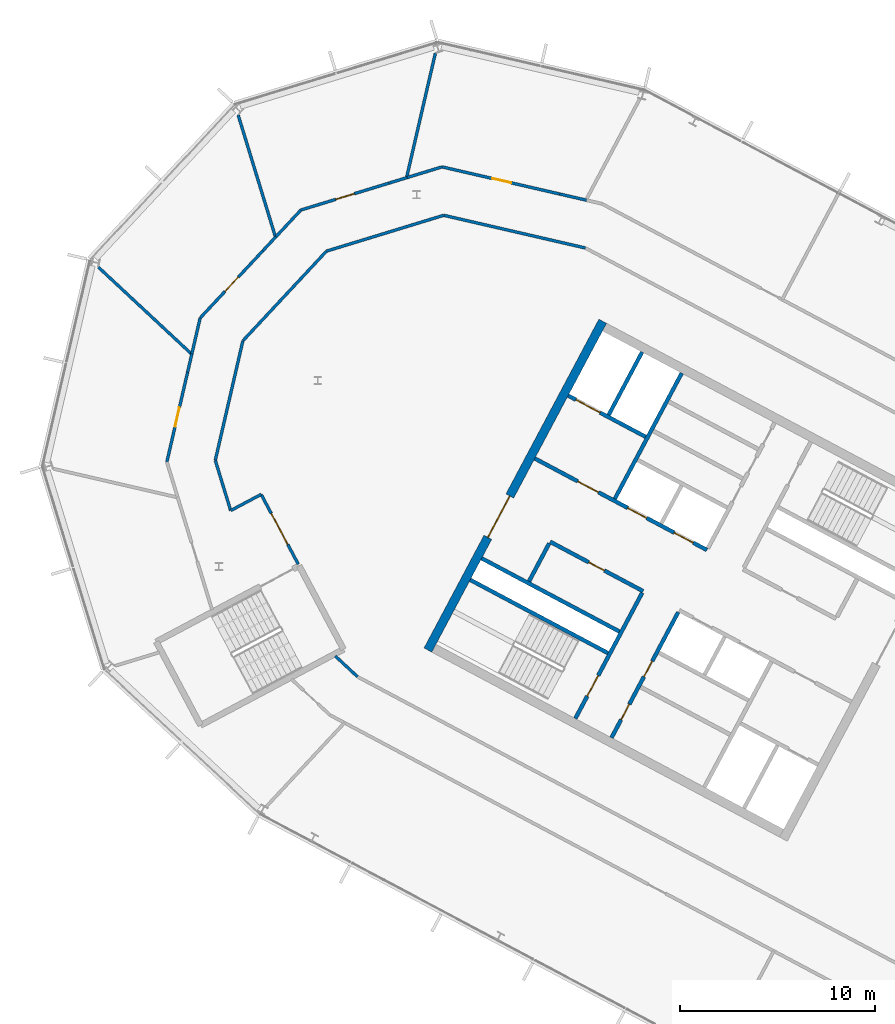
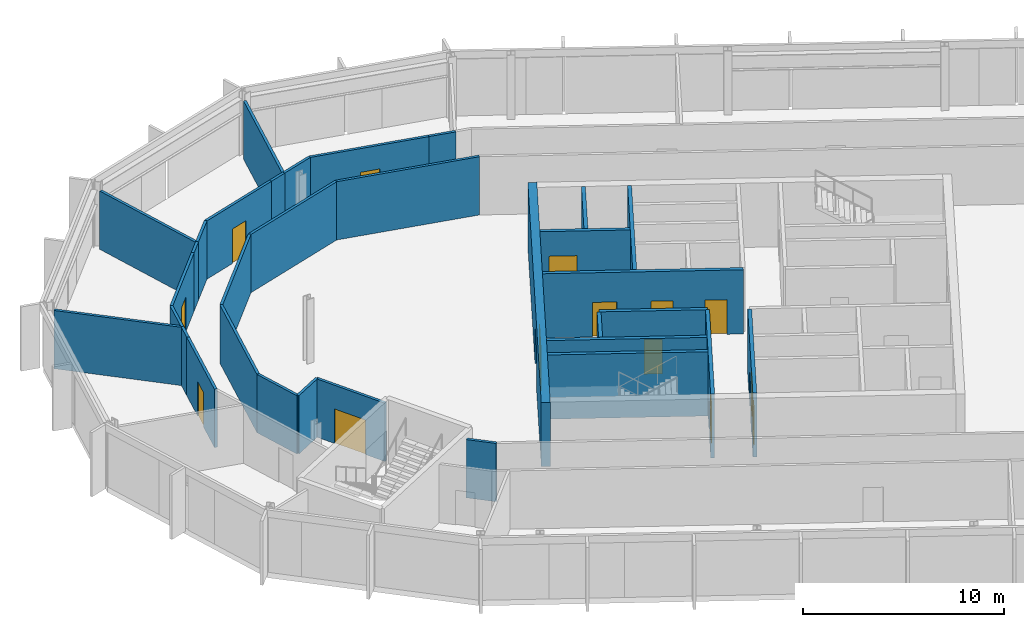
# One storey, part 14 of 26: 33 walls, 14 doors, 14 openings.
"""IFC4 building model written with IfcOpenShell, lengths in metres."""

from ifc_helpers import new_model, si_unit, direction, frame, frame_2d, origin, place, context, subcontext, project, spatial, rectangle, extrude, material, layer, layer_set, type_object, element, fill, save


model = new_model("IFC4")

# Units and contexts
model_context = context("Model", 3, precision=1e-05, world=origin(), true_north=direction((0.0, 1.0)))
body_context = subcontext(model_context, "Body", "Model", "MODEL_VIEW")
ifc_project = project(units=[si_unit("LENGTHUNIT", "METRE"), si_unit("AREAUNIT", "SQUARE_METRE"), si_unit("VOLUMEUNIT", "CUBIC_METRE"), si_unit("PLANEANGLEUNIT", "RADIAN"), si_unit("MASSUNIT", "GRAM", prefix="KILO")], contexts=[model_context])

# Site, building, storey
site_placement = place(None, origin())
site = spatial("IfcSite", under=ifc_project, at=site_placement, CompositionType="ELEMENT")
building_placement = place(site_placement, origin())
building = spatial("IfcBuilding", under=site, at=building_placement, Name="Cormorant Relay Tower", CompositionType="ELEMENT")
storey_placement = place(building_placement, frame((0.0, 0.0, 285.300048828125)))
storey = spatial("IfcBuildingStorey", under=building, at=storey_placement, Name="L64", CompositionType="ELEMENT", Elevation=285.300048828125)

# Wall, openings, doors
ifc_material_1 = material(Name="Concrete 50 MPa", Category="concrete")
ifc_layer_1 = layer(ifc_material_1, 0.199951171875)
ifc_layer_set_1 = layer_set([ifc_layer_1], Name="Core shaft wall 200")
wall_type_1 = type_object("IfcWallType", Name="Core shaft wall 200", PredefinedType="SHEAR", material=ifc_layer_set_1)
wall_1_placement = place(storey_placement, frame((-28.128173828125, 12.91748046875, 0.0), z_axis=(0.0, 0.0, 1.0), x_axis=(-0.469454336211, -0.882956752176, 0.0)))
wall_1 = element("IfcWall", 1, at=wall_1_placement, inside=storey, type_object=wall_type_1, Name="L64 core A shaft wall", PredefinedType="SHEAR", context=body_context, shape_type="SweptSolid", body=[
    extrude(rectangle(XDim=7.300048828125, YDim=0.199951171875, at=frame_2d((3.64990234375, 0.0))), origin(), (0.0, 0.0, 1.0), 3.89990234375),
])
opening_1_placement = place(wall_1_placement, frame((2.85009765625, 0.0, 0.0)))
opening_1 = element("IfcOpeningElement", 2, at=opening_1_placement, cuts=wall_1, Name="Opening CDD-289", PredefinedType="OPENING", context=body_context, shape_type="SweptSolid", body=[
    extrude(rectangle(XDim=0.89990234375, YDim=2.10009765625, at=frame_2d((0.449951171875, 1.050048828125))), frame((0.0, 0.10986328125, 0.0), z_axis=(0.0, -1.0, 0.0), x_axis=(1.0, 0.0, 0.0)), (0.0, 0.0, 1.0), 0.219970703125),
])
opening_2_placement = place(wall_1_placement, frame((5.35009765625, 0.0, 0.0)))
opening_2 = element("IfcOpeningElement", 3, at=opening_2_placement, cuts=wall_1, Name="Opening CDD-328", PredefinedType="OPENING", context=body_context, shape_type="SweptSolid", body=[
    extrude(rectangle(XDim=0.89990234375, YDim=2.10009765625, at=frame_2d((0.449951171875, 1.050048828125))), frame((0.0, 0.10986328125, 0.0), z_axis=(0.0, -1.0, 0.0), x_axis=(1.0, 0.0, 0.0)), (0.0, 0.0, 1.0), 0.219970703125),
])
ifc_material_2 = material(Name="Steel fire door", Category="steel")
door_type_1 = type_object("IfcDoorType", Name="Core room door 900x2100", OperationType="SINGLE_SWING_LEFT", PredefinedType="DOOR", material=ifc_material_2)
door_1_placement = place(opening_1_placement, origin())
door_1 = element("IfcDoor", 4, at=door_1_placement, inside=storey, type_object=door_type_1, Name="Core room door 900x2100", OperationType="SINGLE_SWING_LEFT", OverallHeight=2.10009765625, OverallWidth=0.89990234375, PredefinedType="DOOR", context=body_context, shape_type="SweptSolid", body=[
    extrude(rectangle(XDim=0.89990234375, YDim=2.10009765625, at=frame_2d((0.449951171875, 1.050048828125))), frame((0.0, 0.02490234375, 0.0), z_axis=(0.0, -1.0, 0.0), x_axis=(1.0, 0.0, 0.0)), (0.0, 0.0, 1.0), 0.050048828125),
])
fill(opening_1, door_1)
door_2_placement = place(opening_2_placement, origin())
door_2 = element("IfcDoor", 5, at=door_2_placement, inside=storey, type_object=door_type_1, Name="Core room door 900x2100", OperationType="SINGLE_SWING_LEFT", OverallHeight=2.10009765625, OverallWidth=0.89990234375, PredefinedType="DOOR", context=body_context, shape_type="SweptSolid", body=[
    extrude(rectangle(XDim=0.89990234375, YDim=2.10009765625, at=frame_2d((0.449951171875, 1.050048828125))), frame((0.0, 0.02490234375, 0.0), z_axis=(0.0, -1.0, 0.0), x_axis=(1.0, 0.0, 0.0)), (0.0, 0.0, 1.0), 0.050048828125),
])
fill(opening_2, door_2)

# Wall, opening, door
wall_2_placement = place(storey_placement, frame((-29.982421875, 13.9033203125, 0.0), z_axis=(0.0, 0.0, 1.0), x_axis=(-0.469454336211, -0.882956752176, 0.0)))
wall_2 = element("IfcWall", 6, at=wall_2_placement, inside=storey, type_object=wall_type_1, Name="L64 core A shaft wall", PredefinedType="SHEAR", context=body_context, shape_type="SweptSolid", body=[
    extrude(rectangle(XDim=7.300048828125, YDim=0.199951171875, at=frame_2d((3.64990234375, 0.0))), origin(), (0.0, 0.0, 1.0), 3.89990234375),
])
opening_3_placement = place(wall_2_placement, frame((4.800048828125, 0.0, 0.0)))
opening_3 = element("IfcOpeningElement", 7, at=opening_3_placement, cuts=wall_2, Name="Opening CDB-039", PredefinedType="OPENING", context=body_context, shape_type="SweptSolid", body=[
    extrude(rectangle(XDim=1.199951171875, YDim=2.10009765625, at=frame_2d((0.60009765625, 1.050048828125))), frame((0.0, 0.10986328125, 0.0), z_axis=(0.0, -1.0, 0.0), x_axis=(1.0, 0.0, 0.0)), (0.0, 0.0, 1.0), 0.219970703125),
])
ifc_material_3 = material(Name="Steel fire door", Category="steel")
door_type_2 = type_object("IfcDoorType", Name="Core stair door 1200x2100", OperationType="SINGLE_SWING_LEFT", PredefinedType="DOOR", material=ifc_material_3)
door_3_placement = place(opening_3_placement, frame((1.199951171875, 0.0, 0.0), z_axis=(0.0, 0.0, 1.0), x_axis=(-1.0, 0.0, 0.0)))
door_3 = element("IfcDoor", 8, at=door_3_placement, inside=storey, type_object=door_type_2, Name="Core stair door 1200x2100", OperationType="SINGLE_SWING_RIGHT", OverallHeight=2.10009765625, OverallWidth=1.199951171875, PredefinedType="DOOR", context=body_context, shape_type="SweptSolid", body=[
    extrude(rectangle(XDim=1.199951171875, YDim=2.10009765625, at=frame_2d((0.60009765625, 1.050048828125))), frame((0.0, 0.02490234375, 0.0), z_axis=(0.0, -1.0, 0.0), x_axis=(1.0, 0.0, 0.0)), (0.0, 0.0, 1.0), 0.050048828125),
])
fill(opening_3, door_3)

# Walls
wall_3_placement = place(storey_placement, frame((-27.955322265625, 25.170654296875, 0.0), z_axis=(0.0, 0.0, 1.0), x_axis=(-0.469480409012, -0.88294288918, 0.0)))
element("IfcWall", 9, at=wall_3_placement, inside=storey, type_object=wall_type_1, Name="L64 core A shaft wall", PredefinedType="SHEAR", context=body_context, shape_type="SweptSolid", body=[
    extrude(rectangle(XDim=7.300048828125, YDim=0.199951171875, at=frame_2d((3.64990234375, 0.0))), origin(), (0.0, 0.0, 1.0), 3.89990234375),
])
wall_4_placement = place(storey_placement, frame((-34.750244140625, 16.4384765625, 0.0), z_axis=(0.0, 0.0, 1.0), x_axis=(-0.469401318492, -0.882984938828, 0.0)))
element("IfcWall", 10, at=wall_4_placement, inside=storey, type_object=wall_type_1, Name="L64 core A shaft wall", PredefinedType="SHEAR", context=body_context, shape_type="SweptSolid", body=[
    extrude(rectangle(XDim=2.199951171875, YDim=0.199951171875, at=frame_2d((1.10009765625, 0.0))), origin(), (0.0, 0.0, 1.0), 3.89990234375),
])
wall_5_placement = place(storey_placement, frame((-29.986083984375, 26.250244140625, 0.0), z_axis=(0.0, 0.0, 1.0), x_axis=(-0.469494272526, -0.882935517501, 0.0)))
element("IfcWall", 11, at=wall_5_placement, inside=storey, type_object=wall_type_1, Name="L64 core A shaft wall", PredefinedType="SHEAR", context=body_context, shape_type="SweptSolid", body=[
    extrude(rectangle(XDim=3.64990234375, YDim=0.199951171875, at=frame_2d((1.824951171875, 0.0))), origin(), (0.0, 0.0, 1.0), 3.89990234375),
])

# Wall, opening, door
wall_6_placement = place(storey_placement, frame((-29.80419921875, 21.906494140625, 0.0), z_axis=(0.0, 0.0, 1.0), x_axis=(-0.882960433586, 0.469447412093, 0.0)))
wall_6 = element("IfcWall", 12, at=wall_6_placement, inside=storey, type_object=wall_type_1, Name="L64 core A shaft wall", PredefinedType="SHEAR", context=body_context, shape_type="SweptSolid", body=[
    extrude(rectangle(XDim=4.5, YDim=0.199951171875, at=frame_2d((2.25, 0.0))), origin(), (0.0, 0.0, 1.0), 3.89990234375),
])
opening_4_placement = place(wall_6_placement, frame((2.64990234375, 0.0, 0.0)))
opening_4 = element("IfcOpeningElement", 13, at=opening_4_placement, cuts=wall_6, Name="Opening LD3-015", PredefinedType="OPENING", context=body_context, shape_type="SweptSolid", body=[
    extrude(rectangle(XDim=1.39990234375, YDim=2.39990234375, at=frame_2d((0.699951171875, 1.199951171875))), frame((0.0, 0.10986328125, 0.0), z_axis=(0.0, -1.0, 0.0), x_axis=(1.0, 0.0, 0.0)), (0.0, 0.0, 1.0), 0.219970703125),
])
ifc_material_4 = material(Name="Stainless steel 316", Category="steel")
door_type_3 = type_object("IfcDoorType", Name="Lift landing door 1400x2400", OperationType="DOUBLE_DOOR_SLIDING", PredefinedType="DOOR", material=ifc_material_4)
door_4_placement = place(opening_4_placement, origin())
door_4 = element("IfcDoor", 14, at=door_4_placement, inside=storey, type_object=door_type_3, Name="SV1 landing door", OperationType="DOUBLE_DOOR_SLIDING", OverallHeight=2.39990234375, OverallWidth=1.39990234375, PredefinedType="DOOR", context=body_context, shape_type="SweptSolid", body=[
    extrude(rectangle(XDim=1.39990234375, YDim=2.39990234375, at=frame_2d((0.699951171875, 1.199951171875))), frame((0.0, 0.02490234375, 0.0), z_axis=(0.0, -1.0, 0.0), x_axis=(1.0, 0.0, 0.0)), (0.0, 0.0, 1.0), 0.050048828125),
])
fill(opening_4, door_4)

# Wall, openings, doors
wall_7_placement = place(storey_placement, frame((-26.66162109375, 16.1015625, 0.0), z_axis=(0.0, 0.0, 1.0), x_axis=(-0.882940221191, 0.469485426614, 0.0)))
wall_7 = element("IfcWall", 15, at=wall_7_placement, inside=storey, type_object=wall_type_1, Name="L64 core A shaft wall", PredefinedType="SHEAR", context=body_context, shape_type="SweptSolid", body=[
    extrude(rectangle(XDim=10.0, YDim=0.199951171875, at=frame_2d((5.0, 0.0))), origin(), (0.0, 0.0, 1.0), 3.89990234375),
])
opening_5_placement = place(wall_7_placement, frame((6.300048828125, 0.0, 0.0)))
opening_5 = element("IfcOpeningElement", 16, at=opening_5_placement, cuts=wall_7, Name="Opening CDC-034", PredefinedType="OPENING", context=body_context, shape_type="SweptSolid", body=[
    extrude(rectangle(XDim=1.199951171875, YDim=2.10009765625, at=frame_2d((0.60009765625, 1.050048828125))), frame((0.0, 0.10986328125, 0.0), z_axis=(0.0, -1.0, 0.0), x_axis=(1.0, 0.0, 0.0)), (0.0, 0.0, 1.0), 0.219970703125),
])
opening_6_placement = place(wall_7_placement, frame((0.800048828125, 0.0, 0.0)))
opening_6 = element("IfcOpeningElement", 17, at=opening_6_placement, cuts=wall_7, Name="Opening LD1-067", PredefinedType="OPENING", context=body_context, shape_type="SweptSolid", body=[
    extrude(rectangle(XDim=1.10009765625, YDim=2.10009765625, at=frame_2d((0.550048828125, 1.050048828125))), frame((0.0, 0.10986328125, 0.0), z_axis=(0.0, -1.0, 0.0), x_axis=(1.0, 0.0, 0.0)), (0.0, 0.0, 1.0), 0.219970703125),
])
opening_7_placement = place(wall_7_placement, frame((3.5, 0.0, 0.0)))
opening_7 = element("IfcOpeningElement", 18, at=opening_7_placement, cuts=wall_7, Name="Opening LD1-068", PredefinedType="OPENING", context=body_context, shape_type="SweptSolid", body=[
    extrude(rectangle(XDim=1.10009765625, YDim=2.10009765625, at=frame_2d((0.550048828125, 1.050048828125))), frame((0.0, 0.10986328125, 0.0), z_axis=(0.0, -1.0, 0.0), x_axis=(1.0, 0.0, 0.0)), (0.0, 0.0, 1.0), 0.219970703125),
])
ifc_material_5 = material(Name="Steel fire door", Category="steel")
door_type_4 = type_object("IfcDoorType", Name="Core lobby door 1200x2100", OperationType="SINGLE_SWING_LEFT", PredefinedType="DOOR", material=ifc_material_5)
door_5_placement = place(opening_5_placement, origin())
door_5 = element("IfcDoor", 19, at=door_5_placement, inside=storey, type_object=door_type_4, Name="Core lobby door 1200x2100", OperationType="SINGLE_SWING_LEFT", OverallHeight=2.10009765625, OverallWidth=1.199951171875, PredefinedType="DOOR", context=body_context, shape_type="SweptSolid", body=[
    extrude(rectangle(XDim=1.199951171875, YDim=2.10009765625, at=frame_2d((0.60009765625, 1.050048828125))), frame((0.0, 0.02490234375, 0.0), z_axis=(0.0, -1.0, 0.0), x_axis=(1.0, 0.0, 0.0)), (0.0, 0.0, 1.0), 0.050048828125),
])
fill(opening_5, door_5)
ifc_material_6 = material(Name="Stainless steel 316", Category="steel")
door_type_5 = type_object("IfcDoorType", Name="Lift landing door 1100x2100", OperationType="DOUBLE_DOOR_SLIDING", PredefinedType="DOOR", material=ifc_material_6)
door_6_placement = place(opening_6_placement, origin())
door_6 = element("IfcDoor", 20, at=door_6_placement, inside=storey, type_object=door_type_5, Name="HR3 landing door", OperationType="DOUBLE_DOOR_SLIDING", OverallHeight=2.10009765625, OverallWidth=1.10009765625, PredefinedType="DOOR", context=body_context, shape_type="SweptSolid", body=[
    extrude(rectangle(XDim=1.10009765625, YDim=2.10009765625, at=frame_2d((0.550048828125, 1.050048828125))), frame((0.0, 0.02490234375, 0.0), z_axis=(0.0, -1.0, 0.0), x_axis=(1.0, 0.0, 0.0)), (0.0, 0.0, 1.0), 0.050048828125),
])
fill(opening_6, door_6)
door_7_placement = place(opening_7_placement, origin())
door_7 = element("IfcDoor", 21, at=door_7_placement, inside=storey, type_object=door_type_5, Name="HR4 landing door", OperationType="DOUBLE_DOOR_SLIDING", OverallHeight=2.10009765625, OverallWidth=1.10009765625, PredefinedType="DOOR", context=body_context, shape_type="SweptSolid", body=[
    extrude(rectangle(XDim=1.10009765625, YDim=2.10009765625, at=frame_2d((0.550048828125, 1.050048828125))), frame((0.0, 0.02490234375, 0.0), z_axis=(0.0, -1.0, 0.0), x_axis=(1.0, 0.0, 0.0)), (0.0, 0.0, 1.0), 0.050048828125),
])
fill(opening_7, door_7)

# Wall, opening, door
wall_8_placement = place(storey_placement, frame((-29.935302734375, 13.991455078125, 0.0), z_axis=(0.0, 0.0, 1.0), x_axis=(-0.882952937579, 0.469461510692, 0.0)))
wall_8 = element("IfcWall", 22, at=wall_8_placement, inside=storey, type_object=wall_type_1, Name="L64 core A shaft wall", PredefinedType="SHEAR", context=body_context, shape_type="SweptSolid", body=[
    extrude(rectangle(XDim=5.400146484375, YDim=0.199951171875, at=frame_2d((2.7001953125, 0.0))), origin(), (0.0, 0.0, 1.0), 3.89990234375),
])
opening_8_placement = place(wall_8_placement, frame((2.25, 0.0, 0.0)))
opening_8 = element("IfcOpeningElement", 23, at=opening_8_placement, cuts=wall_8, Name="Opening CDD-318", PredefinedType="OPENING", context=body_context, shape_type="SweptSolid", body=[
    extrude(rectangle(XDim=0.89990234375, YDim=2.10009765625, at=frame_2d((0.449951171875, 1.050048828125))), frame((0.0, 0.10986328125, 0.0), z_axis=(0.0, -1.0, 0.0), x_axis=(1.0, 0.0, 0.0)), (0.0, 0.0, 1.0), 0.219970703125),
])
door_8_placement = place(opening_8_placement, origin())
door_8 = element("IfcDoor", 24, at=door_8_placement, inside=storey, type_object=door_type_1, Name="Core room door 900x2100", OperationType="SINGLE_SWING_LEFT", OverallHeight=2.10009765625, OverallWidth=0.89990234375, PredefinedType="DOOR", context=body_context, shape_type="SweptSolid", body=[
    extrude(rectangle(XDim=0.89990234375, YDim=2.10009765625, at=frame_2d((0.449951171875, 1.050048828125))), frame((0.0, 0.02490234375, 0.0), z_axis=(0.0, -1.0, 0.0), x_axis=(1.0, 0.0, 0.0)), (0.0, 0.0, 1.0), 0.050048828125),
])
fill(opening_8, door_8)

# Walls
for number, where, z_axis, x_axis, name in (
    (25, (-31.150390625, 11.91943359375, 0.0), (0.0, 0.0, 1.0), (-0.882940221191, 0.469485426614, 0.0), "L64 core A shaft wall"),
    (26, (-31.7373046875, 10.815673828125, 0.0), (0.0, 0.0, 1.0), (-0.882940221191, 0.469485426614, 0.0), "L64 core A shaft wall"),
):
    element("IfcWall", number, at=place(storey_placement, frame(where, z_axis=z_axis, x_axis=x_axis)), inside=storey, type_object=wall_type_1, Name=name, PredefinedType="SHEAR", context=body_context, shape_type="SweptSolid", body=[
        extrude(rectangle(XDim=8.0, YDim=0.199951171875, at=frame_2d((4.0, 0.0))), origin(), (0.0, 0.0, 1.0), 3.89990234375),
    ])

# Wall, opening, door
ifc_material_7 = material(Name="Concrete 50 MPa", Category="concrete")
ifc_layer_2 = layer(ifc_material_7, 0.449951171875)
ifc_layer_set_2 = layer_set([ifc_layer_2], Name="Core wall 450")
wall_type_2 = type_object("IfcWallType", Name="Core wall 450", PredefinedType="SHEAR", material=ifc_layer_set_2)
wall_9_placement = place(storey_placement, frame((-32.00439453125, 27.8330078125, 0.0), z_axis=(0.0, 0.0, 1.0), x_axis=(-0.469467968382, -0.882949504028, 0.0)))
wall_9 = element("IfcWall", 27, at=wall_9_placement, inside=storey, type_object=wall_type_2, Name="L64 core A wall", PredefinedType="SHEAR", context=body_context, shape_type="SweptSolid", body=[
    extrude(rectangle(XDim=19.099853515625, YDim=0.449951171875, at=frame_2d((9.5498046875, 0.0))), origin(), (0.0, 0.0, 1.0), 3.89990234375),
])
opening_9_placement = place(wall_9_placement, frame((10.14990234375, 0.0, 0.0)))
opening_9 = element("IfcOpeningElement", 28, at=opening_9_placement, cuts=wall_9, Name="Opening CDA-051", PredefinedType="OPENING", context=body_context, shape_type="SweptSolid", body=[
    extrude(rectangle(XDim=2.39990234375, YDim=2.39990234375, at=frame_2d((1.199951171875, 1.199951171875))), frame((0.0, 0.23486328125, 0.0), z_axis=(0.0, -1.0, 0.0), x_axis=(1.0, 0.0, 0.0)), (0.0, 0.0, 1.0), 0.469970703125),
])
ifc_material_8 = material(Name="Steel fire door", Category="steel")
door_type_6 = type_object("IfcDoorType", Name="Core lobby door 2400x2400", OperationType="DOUBLE_DOOR_SINGLE_SWING", PredefinedType="DOOR", material=ifc_material_8)
door_9_placement = place(opening_9_placement, origin())
door_9 = element("IfcDoor", 29, at=door_9_placement, inside=storey, type_object=door_type_6, Name="Core lobby door 2400x2400", OperationType="DOUBLE_DOOR_SINGLE_SWING", OverallHeight=2.39990234375, OverallWidth=2.39990234375, PredefinedType="DOOR", context=body_context, shape_type="SweptSolid", body=[
    extrude(rectangle(XDim=2.39990234375, YDim=2.39990234375, at=frame_2d((1.199951171875, 1.199951171875))), frame((0.0, 0.02490234375, 0.0), z_axis=(0.0, -1.0, 0.0), x_axis=(1.0, 0.0, 0.0)), (0.0, 0.0, 1.0), 0.050048828125),
])
fill(opening_9, door_9)

ifc_material_9 = material(Name="Gypsum board fire partition")
ifc_layer_3 = layer(ifc_material_9, 0.14990234375)
ifc_layer_set_3 = layer_set([ifc_layer_3], Name="Corridor partition 150 EI 60")
wall_type_3 = type_object("IfcWallType", Name="Corridor partition 150 EI 60", PredefinedType="PARTITIONING", material=ifc_layer_set_3)
wall_10_placement = place(storey_placement, frame((-53.294921875, 25.215087890625, 0.0), z_axis=(0.0, 0.0, 1.0), x_axis=(-0.224995495587, -0.974359803648, 0.0)))
wall_10 = element("IfcWall", 30, at=wall_10_placement, inside=storey, type_object=wall_type_3, Name="wall/L64/part/004", PredefinedType="PARTITIONING", context=body_context, shape_type="SweptSolid", body=[
    extrude(rectangle(XDim=4.72021484375, YDim=0.14990234375, at=frame_2d((2.360107421875, 0.0))), origin(), (0.0, 0.0, 1.0), 3.5400390625),
])
opening_10_placement = place(wall_10_placement, frame((1.85009765625, 0.0, 0.0)))
opening_10 = element("IfcOpeningElement", 31, at=opening_10_placement, cuts=wall_10, Name="Opening DS-226", PredefinedType="OPENING", context=body_context, shape_type="SweptSolid", body=[
    extrude(rectangle(XDim=1.0, YDim=2.10009765625, at=frame_2d((0.5, 1.050048828125))), frame((0.0, 0.0849609375, 0.0), z_axis=(0.0, -1.0, 0.0), x_axis=(1.0, 0.0, 0.0)), (0.0, 0.0, 1.0), 0.169921875),
])
ifc_material_10 = material(Name="Timber door leaf", Category="wood")
door_type_7 = type_object("IfcDoorType", Name="Suite door 1000x2100", OperationType="SINGLE_SWING_LEFT", PredefinedType="DOOR", material=ifc_material_10)
door_10_placement = place(opening_10_placement, frame((1.0, 0.0, 0.0), z_axis=(0.0, 0.0, 1.0), x_axis=(-1.0, 0.0, 0.0)))
door_10 = element("IfcDoor", 32, at=door_10_placement, inside=storey, type_object=door_type_7, Name="door/L64/011", OperationType="SINGLE_SWING_RIGHT", OverallHeight=2.10009765625, OverallWidth=1.0, PredefinedType="DOOR", context=body_context, shape_type="SweptSolid", body=[
    extrude(rectangle(XDim=1.0, YDim=2.10009765625, at=frame_2d((0.5, 1.050048828125))), frame((0.0, 0.02490234375, 0.0), z_axis=(0.0, -1.0, 0.0), x_axis=(1.0, 0.0, 0.0)), (0.0, 0.0, 1.0), 0.050048828125),
])
fill(opening_10, door_10)

# Wall
wall_11_placement = place(storey_placement, frame((-53.294921875, 25.215087890625, 0.0), z_axis=(0.0, 0.0, 1.0), x_axis=(0.225370986266, 0.974273020539, 0.0)))
element("IfcWall", 33, at=wall_11_placement, inside=storey, type_object=wall_type_3, Name="wall/L64/part/007", PredefinedType="PARTITIONING", context=body_context, shape_type="SweptSolid", body=[
    extrude(rectangle(XDim=0.97607421875, YDim=0.14990234375, at=frame_2d((0.488037109375, 0.0))), origin(), (0.0, 0.0, 1.0), 3.5400390625),
])

# Wall, opening, door
wall_12_placement = place(storey_placement, frame((-49.43310546875, 31.448974609375, 0.0), z_axis=(0.0, 0.0, 1.0), x_axis=(-0.682010505986, -0.731342375173, 0.0)))
wall_12 = element("IfcWall", 34, at=wall_12_placement, inside=storey, type_object=wall_type_3, Name="wall/L64/part/008", PredefinedType="PARTITIONING", context=body_context, shape_type="SweptSolid", body=[
    extrude(rectangle(XDim=4.72119140625, YDim=0.14990234375, at=frame_2d((2.360595703125, 0.0))), origin(), (0.0, 0.0, 1.0), 3.5400390625),
])
opening_11_placement = place(wall_12_placement, frame((1.85009765625, 0.0, 0.0)))
opening_11 = element("IfcOpeningElement", 35, at=opening_11_placement, cuts=wall_12, Name="Opening DS-225", PredefinedType="OPENING", context=body_context, shape_type="SweptSolid", body=[
    extrude(rectangle(XDim=1.0, YDim=2.10009765625, at=frame_2d((0.5, 1.050048828125))), frame((0.0, 0.0849609375, 0.0), z_axis=(0.0, -1.0, 0.0), x_axis=(1.0, 0.0, 0.0)), (0.0, 0.0, 1.0), 0.169921875),
])
door_11_placement = place(opening_11_placement, frame((1.0, 0.0, 0.0), z_axis=(0.0, 0.0, 1.0), x_axis=(-1.0, 0.0, 0.0)))
door_11 = element("IfcDoor", 36, at=door_11_placement, inside=storey, type_object=door_type_7, Name="door/L64/010", OperationType="SINGLE_SWING_RIGHT", OverallHeight=2.10009765625, OverallWidth=1.0, PredefinedType="DOOR", context=body_context, shape_type="SweptSolid", body=[
    extrude(rectangle(XDim=1.0, YDim=2.10009765625, at=frame_2d((0.5, 1.050048828125))), frame((0.0, 0.02490234375, 0.0), z_axis=(0.0, -1.0, 0.0), x_axis=(1.0, 0.0, 0.0)), (0.0, 0.0, 1.0), 0.050048828125),
])
fill(opening_11, door_11)

# Walls
wall_13_placement = place(storey_placement, frame((-52.653076171875, 27.99609375, 0.0), z_axis=(0.0, 0.0, 1.0), x_axis=(-0.224631643858, -0.974443751367, 0.0)))
element("IfcWall", 37, at=wall_13_placement, inside=storey, type_object=wall_type_3, Name="wall/L64/part/009", PredefinedType="PARTITIONING", context=body_context, shape_type="SweptSolid", body=[
    extrude(rectangle(XDim=1.878173828125, YDim=0.14990234375, at=frame_2d((0.93896484375, 0.0))), origin(), (0.0, 0.0, 1.0), 3.5400390625),
])
wall_14_placement = place(storey_placement, frame((-49.43310546875, 31.448974609375, 0.0), z_axis=(0.0, 0.0, 1.0), x_axis=(0.682014889945, 0.731338286905, 0.0)))
element("IfcWall", 38, at=wall_14_placement, inside=storey, type_object=wall_type_3, Name="wall/L64/part/011", PredefinedType="PARTITIONING", context=body_context, shape_type="SweptSolid", body=[
    extrude(rectangle(XDim=0.97509765625, YDim=0.14990234375, at=frame_2d((0.487548828125, 0.0))), origin(), (0.0, 0.0, 1.0), 3.5400390625),
])

# Wall, opening, door
wall_15_placement = place(storey_placement, frame((-42.971923828125, 34.916015625, 0.0), z_axis=(0.0, 0.0, 1.0), x_axis=(-0.956321861231, -0.292315750056, 0.0)))
wall_15 = element("IfcWall", 39, at=wall_15_placement, inside=storey, type_object=wall_type_3, Name="wall/L64/part/014", PredefinedType="PARTITIONING", context=body_context, shape_type="SweptSolid", body=[
    extrude(rectangle(XDim=4.721435546875, YDim=0.14990234375, at=frame_2d((2.36083984375, 0.0))), origin(), (0.0, 0.0, 1.0), 3.5400390625),
])
opening_12_placement = place(wall_15_placement, frame((1.85009765625, 0.0, 0.0)))
opening_12 = element("IfcOpeningElement", 40, at=opening_12_placement, cuts=wall_15, Name="Opening DS-224", PredefinedType="OPENING", context=body_context, shape_type="SweptSolid", body=[
    extrude(rectangle(XDim=1.0, YDim=2.10009765625, at=frame_2d((0.5, 1.050048828125))), frame((0.0, 0.0849609375, 0.0), z_axis=(0.0, -1.0, 0.0), x_axis=(1.0, 0.0, 0.0)), (0.0, 0.0, 1.0), 0.169921875),
])
door_12_placement = place(opening_12_placement, frame((1.0, 0.0, 0.0), z_axis=(0.0, 0.0, 1.0), x_axis=(-1.0, 0.0, 0.0)))
door_12 = element("IfcDoor", 41, at=door_12_placement, inside=storey, type_object=door_type_7, Name="door/L64/009", OperationType="SINGLE_SWING_RIGHT", OverallHeight=2.10009765625, OverallWidth=1.0, PredefinedType="DOOR", context=body_context, shape_type="SweptSolid", body=[
    extrude(rectangle(XDim=1.0, YDim=2.10009765625, at=frame_2d((0.5, 1.050048828125))), frame((0.0, 0.02490234375, 0.0), z_axis=(0.0, -1.0, 0.0), x_axis=(1.0, 0.0, 0.0)), (0.0, 0.0, 1.0), 0.050048828125),
])
fill(opening_12, door_12)

# Wall
wall_16_placement = place(storey_placement, frame((-47.487060546875, 33.535888671875, 0.0), z_axis=(0.0, 0.0, 1.0), x_axis=(-0.681980118274, -0.731370711936, 0.0)))
element("IfcWall", 42, at=wall_16_placement, inside=storey, type_object=wall_type_3, Name="wall/L64/part/015", PredefinedType="PARTITIONING", context=body_context, shape_type="SweptSolid", body=[
    extrude(rectangle(XDim=1.87841796875, YDim=0.14990234375, at=frame_2d((0.939208984375, 0.0))), origin(), (0.0, 0.0, 1.0), 3.5400390625),
])

# Wall, opening, door
wall_17_placement = place(storey_placement, frame((-47.62109375, 15.3779296875, 0.0), z_axis=(0.0, 0.0, 1.0), x_axis=(-0.469542997944, 0.882909606404, 0.0)))
wall_17 = element("IfcWall", 43, at=wall_17_placement, inside=storey, type_object=wall_type_3, Name="wall/L64/part/016", PredefinedType="PARTITIONING", context=body_context, shape_type="SweptSolid", body=[
    extrude(rectangle(XDim=4.050537109375, YDim=0.14990234375, at=frame_2d((2.025390625, 0.0))), origin(), (0.0, 0.0, 1.0), 3.5400390625),
])
opening_13_placement = place(wall_17_placement, frame((1.14990234375, 0.0, 0.0)))
opening_13 = element("IfcOpeningElement", 44, at=opening_13_placement, cuts=wall_17, Name="Opening DD-035", PredefinedType="OPENING", context=body_context, shape_type="SweptSolid", body=[
    extrude(rectangle(XDim=1.800048828125, YDim=2.10009765625, at=frame_2d((0.89990234375, 1.050048828125))), frame((0.0, 0.0849609375, 0.0), z_axis=(0.0, -1.0, 0.0), x_axis=(1.0, 0.0, 0.0)), (0.0, 0.0, 1.0), 0.169921875),
])
ifc_material_11 = material(Name="Timber door leaf", Category="wood")
door_type_8 = type_object("IfcDoorType", Name="Suite double door 1800x2100", OperationType="DOUBLE_DOOR_SINGLE_SWING", PredefinedType="DOOR", material=ifc_material_11)
door_13_placement = place(opening_13_placement, frame((1.800048828125, 0.0, 0.0), z_axis=(0.0, 0.0, 1.0), x_axis=(-1.0, 0.0, 0.0)))
door_13 = element("IfcDoor", 45, at=door_13_placement, inside=storey, type_object=door_type_8, Name="door/L64/001", OperationType="DOUBLE_DOOR_SINGLE_SWING", OverallHeight=2.10009765625, OverallWidth=1.800048828125, PredefinedType="DOOR", context=body_context, shape_type="SweptSolid", body=[
    extrude(rectangle(XDim=1.800048828125, YDim=2.10009765625, at=frame_2d((0.89990234375, 1.050048828125))), frame((0.0, 0.02490234375, 0.0), z_axis=(0.0, -1.0, 0.0), x_axis=(1.0, 0.0, 0.0)), (0.0, 0.0, 1.0), 0.050048828125),
])
fill(opening_13, door_13)

# Walls
wall_18_placement = place(storey_placement, frame((-49.52294921875, 18.9541015625, 0.0), z_axis=(0.0, 0.0, 1.0), x_axis=(-0.882826130341, -0.469699929303, 0.0)))
element("IfcWall", 46, at=wall_18_placement, inside=storey, type_object=wall_type_3, Name="wall/L64/part/017", PredefinedType="PARTITIONING", context=body_context, shape_type="SweptSolid", body=[
    extrude(rectangle(XDim=1.769287109375, YDim=0.14990234375, at=frame_2d((0.884765625, 0.0))), origin(), (0.0, 0.0, 1.0), 3.5400390625),
])
wall_19_placement = place(storey_placement, frame((-51.0849609375, 18.123046875, 0.0), z_axis=(0.0, 0.0, 1.0), x_axis=(-0.292584201044, 0.9562397635, 0.0)))
element("IfcWall", 47, at=wall_19_placement, inside=storey, type_object=wall_type_3, Name="wall/L64/part/018", PredefinedType="PARTITIONING", context=body_context, shape_type="SweptSolid", body=[
    extrude(rectangle(XDim=2.69677734375, YDim=0.14990234375, at=frame_2d((1.348388671875, 0.0))), origin(), (0.0, 0.0, 1.0), 3.5400390625),
])
wall_20_placement = place(storey_placement, frame((-51.8740234375, 20.701904296875, 0.0), z_axis=(0.0, 0.0, 1.0), x_axis=(0.224987079621, 0.974361746993, 0.0)))
element("IfcWall", 48, at=wall_20_placement, inside=storey, type_object=wall_type_3, Name="wall/L64/part/019", PredefinedType="PARTITIONING", context=body_context, shape_type="SweptSolid", body=[
    extrude(rectangle(XDim=6.289306640625, YDim=0.14990234375, at=frame_2d((3.14453125, 0.0))), origin(), (0.0, 0.0, 1.0), 3.5400390625),
])
wall_21_placement = place(storey_placement, frame((-50.458984375, 26.830078125, 0.0), z_axis=(0.0, 0.0, 1.0), x_axis=(0.68204431976, 0.731310840808, 0.0)))
element("IfcWall", 49, at=wall_21_placement, inside=storey, type_object=wall_type_3, Name="wall/L64/part/020", PredefinedType="PARTITIONING", context=body_context, shape_type="SweptSolid", body=[
    extrude(rectangle(XDim=6.28857421875, YDim=0.14990234375, at=frame_2d((3.144287109375, 0.0))), origin(), (0.0, 0.0, 1.0), 3.5400390625),
])
wall_22_placement = place(storey_placement, frame((-46.169921875, 31.428955078125, 0.0), z_axis=(0.0, 0.0, 1.0), x_axis=(0.956313885215, 0.292341842616, 0.0)))
element("IfcWall", 50, at=wall_22_placement, inside=storey, type_object=wall_type_3, Name="wall/L64/part/021", PredefinedType="PARTITIONING", context=body_context, shape_type="SweptSolid", body=[
    extrude(rectangle(XDim=6.28759765625, YDim=0.14990234375, at=frame_2d((3.143798828125, 0.0))), origin(), (0.0, 0.0, 1.0), 3.5400390625),
])
wall_23_placement = place(storey_placement, frame((-40.156982421875, 33.26708984375, 0.0), z_axis=(0.0, 0.0, 1.0), x_axis=(0.974363587665, -0.224979107993, 0.0)))
element("IfcWall", 51, at=wall_23_placement, inside=storey, type_object=wall_type_3, Name="wall/L64/part/022", PredefinedType="PARTITIONING", context=body_context, shape_type="SweptSolid", body=[
    extrude(rectangle(XDim=7.4541015625, YDim=0.14990234375, at=frame_2d((3.72705078125, 0.0))), origin(), (0.0, 0.0, 1.0), 3.5400390625),
])
wall_24_placement = place(storey_placement, frame((-44.583984375, 9.60498046875, 0.0), z_axis=(0.0, 0.0, 1.0), x_axis=(-0.731410317478, 0.681937641934, 0.0)))
element("IfcWall", 52, at=wall_24_placement, inside=storey, type_object=wall_type_3, Name="wall/L64/part/031", PredefinedType="PARTITIONING", context=body_context, shape_type="SweptSolid", body=[
    extrude(rectangle(XDim=1.554443359375, YDim=0.14990234375, at=frame_2d((0.77734375, 0.0))), origin(), (0.0, 0.0, 1.0), 3.5400390625),
])
wall_25_placement = place(storey_placement, frame((-42.971923828125, 34.916015625, 0.0), z_axis=(0.0, 0.0, 1.0), x_axis=(0.956388481043, 0.292097711954, 0.0)))
element("IfcWall", 53, at=wall_25_placement, inside=storey, type_object=wall_type_3, Name="wall/L64/part/036", PredefinedType="PARTITIONING", context=body_context, shape_type="SweptSolid", body=[
    extrude(rectangle(XDim=0.975341796875, YDim=0.14990234375, at=frame_2d((0.48779296875, 0.0))), origin(), (0.0, 0.0, 1.0), 3.5400390625),
])

# Wall, opening, door
wall_26_placement = place(storey_placement, frame((-34.2080078125, 34.35693359375, 0.0), z_axis=(0.0, 0.0, 1.0), x_axis=(-0.974377242452, 0.224919962192, 0.0)))
wall_26 = element("IfcWall", 54, at=wall_26_placement, inside=storey, type_object=wall_type_3, Name="wall/L64/part/038", PredefinedType="PARTITIONING", context=body_context, shape_type="SweptSolid", body=[
    extrude(rectangle(XDim=6.193603515625, YDim=0.14990234375, at=frame_2d((3.0966796875, 0.0))), origin(), (0.0, 0.0, 1.0), 3.5400390625),
])
opening_14_placement = place(wall_26_placement, frame((2.550048828125, 0.0, 0.0)))
opening_14 = element("IfcOpeningElement", 55, at=opening_14_placement, cuts=wall_26, Name="Opening DS-223", PredefinedType="OPENING", context=body_context, shape_type="SweptSolid", body=[
    extrude(rectangle(XDim=1.0, YDim=2.10009765625, at=frame_2d((0.5, 1.050048828125))), frame((0.0, 0.0849609375, 0.0), z_axis=(0.0, -1.0, 0.0), x_axis=(1.0, 0.0, 0.0)), (0.0, 0.0, 1.0), 0.169921875),
])
door_14_placement = place(opening_14_placement, frame((1.0, 0.0, 0.0), z_axis=(0.0, 0.0, 1.0), x_axis=(-1.0, 0.0, 0.0)))
door_14 = element("IfcDoor", 56, at=door_14_placement, inside=storey, type_object=door_type_7, Name="door/L64/008", OperationType="SINGLE_SWING_RIGHT", OverallHeight=2.10009765625, OverallWidth=1.0, PredefinedType="DOOR", context=body_context, shape_type="SweptSolid", body=[
    extrude(rectangle(XDim=1.0, YDim=2.10009765625, at=frame_2d((0.5, 1.050048828125))), frame((0.0, 0.02490234375, 0.0), z_axis=(0.0, -1.0, 0.0), x_axis=(1.0, 0.0, 0.0)), (0.0, 0.0, 1.0), 0.050048828125),
])
fill(opening_14, door_14)

# Walls
wall_27_placement = place(storey_placement, frame((-40.242919921875, 35.75, 0.0), z_axis=(0.0, 0.0, 1.0), x_axis=(-0.956314227535, -0.292340722812, 0.0)))
element("IfcWall", 57, at=wall_27_placement, inside=storey, type_object=wall_type_3, Name="wall/L64/part/039", PredefinedType="PARTITIONING", context=body_context, shape_type="SweptSolid", body=[
    extrude(rectangle(XDim=1.878173828125, YDim=0.14990234375, at=frame_2d((0.93896484375, 0.0))), origin(), (0.0, 0.0, 1.0), 3.5400390625),
])
wall_28_placement = place(storey_placement, frame((-34.2080078125, 34.35693359375, 0.0), z_axis=(0.0, 0.0, 1.0), x_axis=(0.974467175192, -0.224530007959, 0.0)))
element("IfcWall", 58, at=wall_28_placement, inside=storey, type_object=wall_type_3, Name="wall/L64/part/040", PredefinedType="PARTITIONING", context=body_context, shape_type="SweptSolid", body=[
    extrude(rectangle(XDim=1.406982421875, YDim=0.14990234375, at=frame_2d((0.70361328125, 0.0))), origin(), (0.0, 0.0, 1.0), 3.5400390625),
])
ifc_material_12 = material(Name="Gypsum board partition")
ifc_layer_4 = layer(ifc_material_12, 0.14990234375)
ifc_layer_set_4 = layer_set([ifc_layer_4], Name="Tenant partition 150")
wall_type_4 = type_object("IfcWallType", Name="Tenant partition 150", PredefinedType="PARTITIONING", material=ifc_layer_set_4)
wall_29_placement = place(storey_placement, frame((-57.8720703125, 30.60791015625, 0.0), z_axis=(0.0, 0.0, 1.0), x_axis=(0.731496401804, -0.681845300744, 0.0)))
element("IfcWall", 59, at=wall_29_placement, inside=storey, type_object=wall_type_4, Name="wall/L64/part/002", PredefinedType="PARTITIONING", context=body_context, shape_type="SweptSolid", body=[
    extrude(rectangle(XDim=6.549560546875, YDim=0.14990234375, at=frame_2d((3.27490234375, 0.0))), origin(), (0.0, 0.0, 1.0), 3.5400390625),
])
wall_30_placement = place(storey_placement, frame((-50.699951171875, 38.406005859375, 0.0), z_axis=(0.0, 0.0, 1.0), x_axis=(0.29245059414, -0.95628063349, 0.0)))
element("IfcWall", 60, at=wall_30_placement, inside=storey, type_object=wall_type_4, Name="wall/L64/part/010", PredefinedType="PARTITIONING", context=body_context, shape_type="SweptSolid", body=[
    extrude(rectangle(XDim=6.54833984375, YDim=0.14990234375, at=frame_2d((3.274169921875, 0.0))), origin(), (0.0, 0.0, 1.0), 3.5400390625),
])
wall_31_placement = place(storey_placement, frame((-40.590087890625, 41.574951171875, 0.0), z_axis=(0.0, 0.0, 1.0), x_axis=(-0.224916684579, -0.974377999032, 0.0)))
element("IfcWall", 61, at=wall_31_placement, inside=storey, type_object=wall_type_4, Name="wall/L64/part/037", PredefinedType="PARTITIONING", context=body_context, shape_type="SweptSolid", body=[
    extrude(rectangle(XDim=6.548583984375, YDim=0.14990234375, at=frame_2d((3.2744140625, 0.0))), origin(), (0.0, 0.0, 1.0), 3.5400390625),
])

save(model, "model.ifc")
